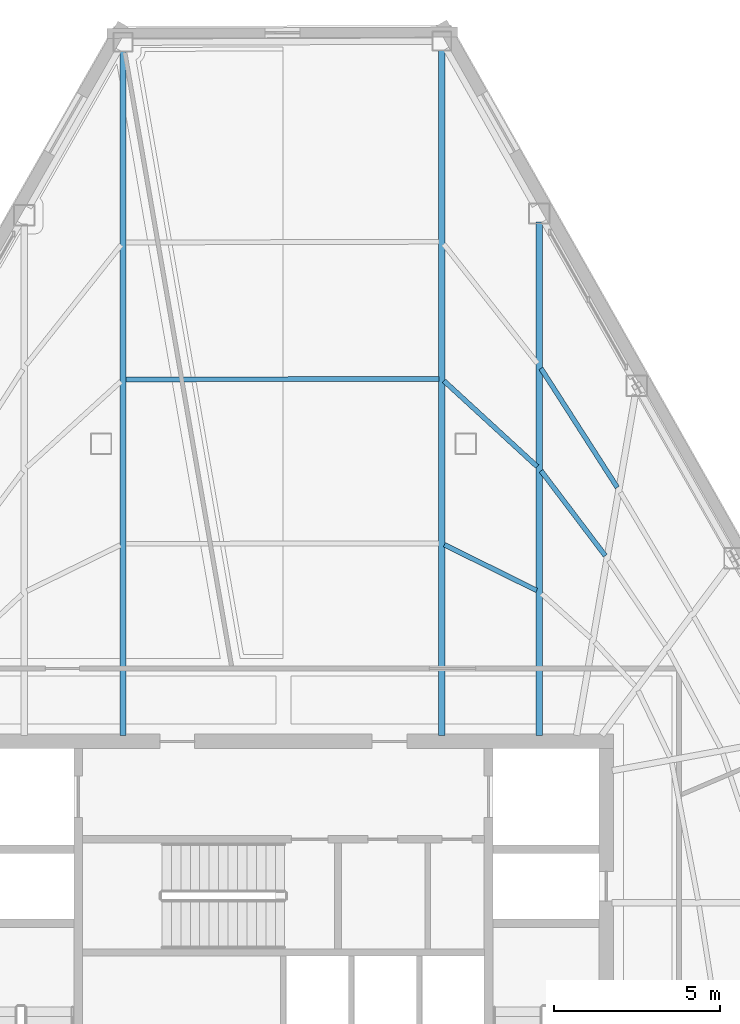
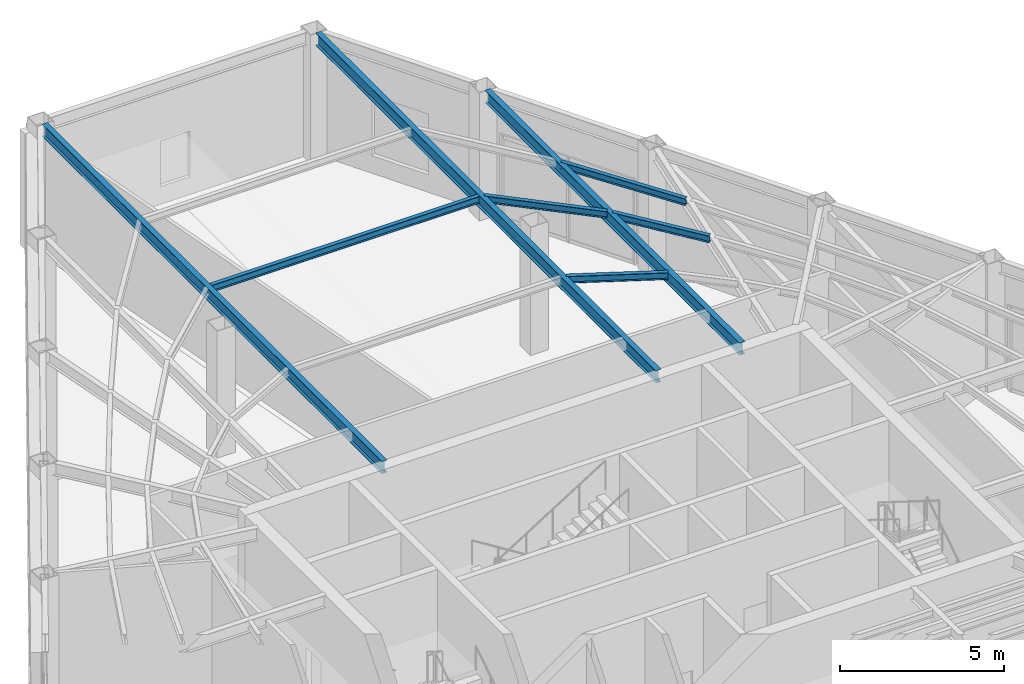
# One storey, part 5 of 14: 8 beams.
"""IFC4 building model written with IfcOpenShell, lengths in metres."""

from ifc_helpers import new_model, si_unit, direction, frame, origin, origin_2d, place, context, subcontext, project, spatial, i_section, extrude, material, material_profile, profile_set, type_object, element, save


model = new_model("IFC4")

# Units and contexts
model_context = context("Model", 3, precision=1e-05, world=origin(), true_north=direction((0.0, 1.0)))
body_context = subcontext(model_context, "Body", "Model", "MODEL_VIEW")
ifc_project = project(units=[si_unit("LENGTHUNIT", "METRE"), si_unit("AREAUNIT", "SQUARE_METRE"), si_unit("VOLUMEUNIT", "CUBIC_METRE"), si_unit("PLANEANGLEUNIT", "RADIAN"), si_unit("MASSUNIT", "GRAM", prefix="KILO")], contexts=[model_context])

# Site, building, storey
site_placement = place(None, origin())
site = spatial("IfcSite", under=ifc_project, at=site_placement, CompositionType="ELEMENT")
building_placement = place(site_placement, origin())
building = spatial("IfcBuilding", under=site, at=building_placement, Name="Kavelnor Concourse Tower", CompositionType="ELEMENT")
storey_placement = place(building_placement, frame((0.0, 0.0, 160.0)))
storey = spatial("IfcBuildingStorey", under=building, at=storey_placement, Name="L40", CompositionType="ELEMENT", Elevation=160.0)

# Beams
ifc_material = material(Name="Steel Grade 350", Category="steel")
ifc_material_profile_1 = material_profile(ifc_material, i_section(OverallWidth=0.14599609375, OverallDepth=0.256103515625, WebThickness=0.00634765625, FlangeThickness=0.010986328125, at=origin_2d()), Name="250UB37")
ifc_profile_set_1 = profile_set([ifc_material_profile_1], Name="Steel Grade 350")
beam_type_1 = type_object("IfcBeamType", Name="BM-JOIST-250", PredefinedType="JOIST", material=ifc_profile_set_1)
beam_1_placement = place(storey_placement, frame((47.71337890625, 28.421142578125, 4.6220703125), z_axis=(-0.603338195872, 0.797485436483, 0.0), x_axis=(-0.797485436483, -0.603338195872, 0.0)))
element("IfcBeam", 1, at=beam_1_placement, inside=storey, type_object=beam_type_1, Name="L40 Secondary Composite Joist 13-2", PredefinedType="JOIST", context=body_context, shape_type="SweptSolid", body=[
    extrude(i_section(OverallWidth=0.14599609375, OverallDepth=0.256103515625, WebThickness=0.00634765625, FlangeThickness=0.010986328125, at=origin_2d()), origin(), (0.0, 0.0, 1.0), 3.212890625),
])
beam_2_placement = place(storey_placement, frame((48.073974609375, 30.482666015625, 4.6220703125), z_axis=(-0.53975443561, 0.841822516472, 0.0), x_axis=(-0.841822516472, -0.53975443561, 0.0)))
element("IfcBeam", 2, at=beam_2_placement, inside=storey, type_object=beam_type_1, Name="L40 Secondary Composite Joist 13-3", PredefinedType="JOIST", context=body_context, shape_type="SweptSolid", body=[
    extrude(i_section(OverallWidth=0.14599609375, OverallDepth=0.256103515625, WebThickness=0.00634765625, FlangeThickness=0.010986328125, at=origin_2d()), origin(), (0.0, 0.0, 1.0), 4.269775390625),
])
beam_3_placement = place(storey_placement, frame((45.6416015625, 27.37646484375, 4.6220703125), z_axis=(-0.896290727823, 0.4434669449, 0.0), x_axis=(-0.4434669449, -0.896290727823, 0.0)))
element("IfcBeam", 3, at=beam_3_placement, inside=storey, type_object=beam_type_1, Name="L40 Secondary Composite Joist 14-1", PredefinedType="JOIST", context=body_context, shape_type="SweptSolid", body=[
    extrude(i_section(OverallWidth=0.14599609375, OverallDepth=0.256103515625, WebThickness=0.00634765625, FlangeThickness=0.010986328125, at=origin_2d()), origin(), (0.0, 0.0, 1.0), 3.10498046875),
])
beam_4_placement = place(storey_placement, frame((45.65576171875, 31.114501953125, 4.6220703125), z_axis=(-0.736336130474, 0.676615919823, 0.0), x_axis=(-0.676615919823, -0.736336130474, 0.0)))
element("IfcBeam", 4, at=beam_4_placement, inside=storey, type_object=beam_type_1, Name="L40 Secondary Composite Joist 14-2", PredefinedType="JOIST", context=body_context, shape_type="SweptSolid", body=[
    extrude(i_section(OverallWidth=0.14599609375, OverallDepth=0.256103515625, WebThickness=0.00634765625, FlangeThickness=0.010986328125, at=origin_2d()), origin(), (0.0, 0.0, 1.0), 3.818359375),
])
beam_5_placement = place(storey_placement, frame((42.689697265625, 33.758056640625, 4.6220703125), z_axis=(-0.999998453257, -0.001758830242, 0.0), x_axis=(0.001758830242, -0.999998453257, 0.0)))
element("IfcBeam", 5, at=beam_5_placement, inside=storey, type_object=beam_type_1, Name="L40 Secondary Composite Joist 15-2", PredefinedType="JOIST", context=body_context, shape_type="SweptSolid", body=[
    extrude(i_section(OverallWidth=0.14599609375, OverallDepth=0.256103515625, WebThickness=0.00634765625, FlangeThickness=0.010986328125, at=origin_2d()), origin(), (0.0, 0.0, 1.0), 9.43896484375),
])
ifc_material_profile_2 = material_profile(ifc_material, i_section(OverallWidth=0.18994140625, OverallDepth=0.4541015625, WebThickness=0.008544921875, FlangeThickness=0.0126953125, at=origin_2d()), Name="460UB67")
ifc_profile_set_2 = profile_set([ifc_material_profile_2], Name="Steel Grade 350")
beam_type_2 = type_object("IfcBeamType", Name="BM-PRIMARY-460", PredefinedType="BEAM", material=ifc_profile_set_2)
beam_6_placement = place(storey_placement, frame((33.16162109375, 23.0, 4.52294921875), z_axis=(0.0, 1.0, 0.0), x_axis=(-1.0, 0.0, 0.0)))
element("IfcBeam", 6, at=beam_6_placement, inside=storey, type_object=beam_type_2, Name="L40 Primary Floor Girder F0-B0", PredefinedType="BEAM", context=body_context, shape_type="SweptSolid", body=[
    extrude(i_section(OverallWidth=0.18994140625, OverallDepth=0.4541015625, WebThickness=0.008544921875, FlangeThickness=0.0126953125, at=origin_2d()), origin(), (0.0, 0.0, 1.0), 20.656494140625),
])
beam_7_placement = place(storey_placement, frame((45.72119140625, 23.0, 4.52294921875), z_axis=(0.0, 1.0, 0.0), x_axis=(-1.0, 0.0, 0.0)))
element("IfcBeam", 7, at=beam_7_placement, inside=storey, type_object=beam_type_2, Name="L40 Primary Floor Girder F2-B5", PredefinedType="BEAM", context=body_context, shape_type="SweptSolid", body=[
    extrude(i_section(OverallWidth=0.18994140625, OverallDepth=0.4541015625, WebThickness=0.008544921875, FlangeThickness=0.0126953125, at=origin_2d()), origin(), (0.0, 0.0, 1.0), 15.489013671875),
])
beam_8_placement = place(storey_placement, frame((42.77880859375, 23.0, 4.52294921875), z_axis=(0.0, 1.0, 0.0), x_axis=(-1.0, 0.0, 0.0)))
element("IfcBeam", 8, at=beam_8_placement, inside=storey, type_object=beam_type_2, Name="L40 Primary Floor Girder F2-B6", PredefinedType="BEAM", context=body_context, shape_type="SweptSolid", body=[
    extrude(i_section(OverallWidth=0.18994140625, OverallDepth=0.4541015625, WebThickness=0.008544921875, FlangeThickness=0.0126953125, at=origin_2d()), origin(), (0.0, 0.0, 1.0), 20.68896484375),
])

save(model, "model.ifc")
